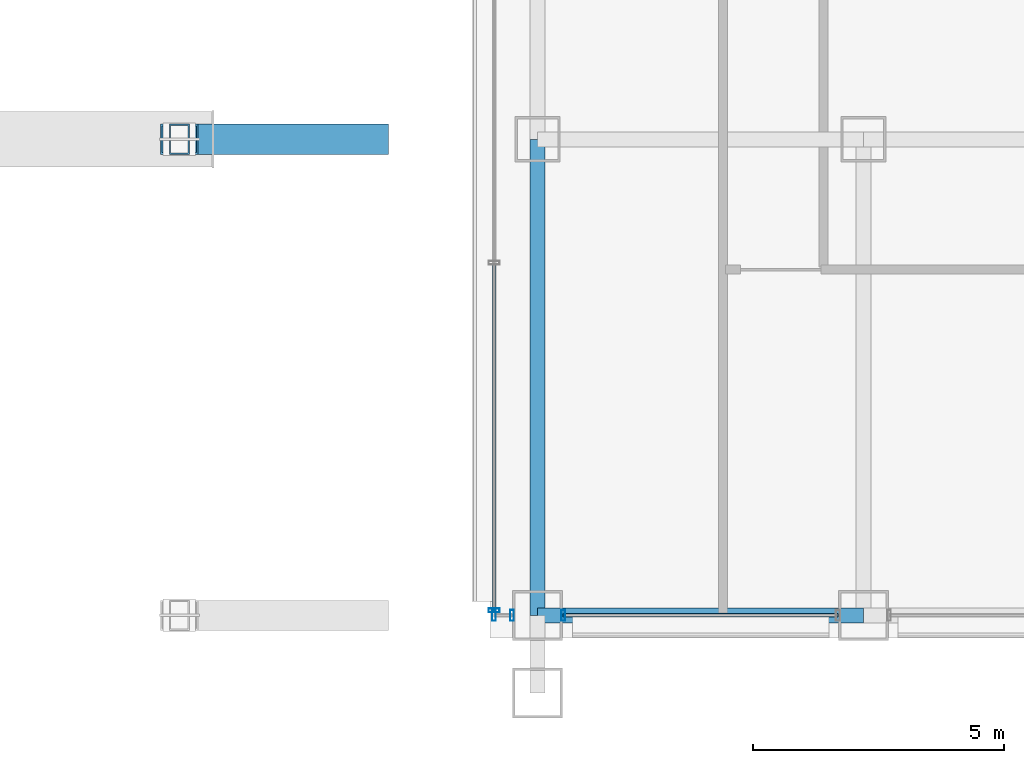
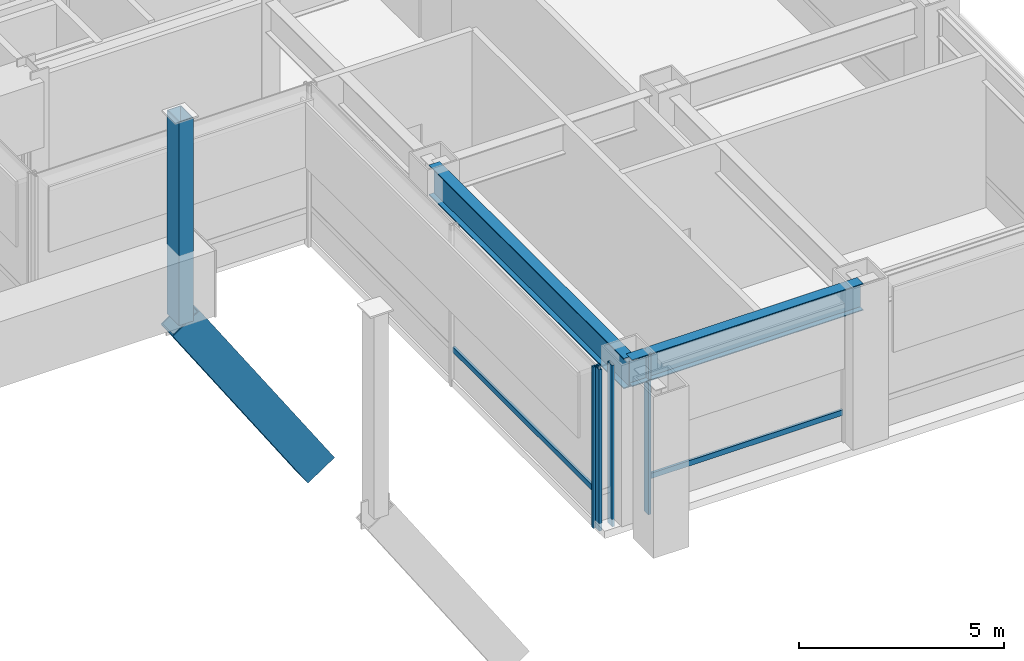
# One storey, part 10 of 42: 8 members, 2 beams, 3 elements without a shape of their own.
"""IFC4 building model written with IfcOpenShell, lengths in metres."""

from ifc_helpers import new_model, si_unit, direction, frame, origin, origin_2d, place, context, subcontext, project, spatial, hollow_rectangle, i_section, extrude, material, layer, layer_set, material_profile, profile_set, type_object, element, aggregate, save


model = new_model("IFC4")

# Units and contexts
model_context = context("Model", 3, precision=1e-05, world=origin(), true_north=direction((0.0, 1.0)))
body_context = subcontext(model_context, "Body", "Model", "MODEL_VIEW")
ifc_project = project(units=[si_unit("LENGTHUNIT", "METRE"), si_unit("AREAUNIT", "SQUARE_METRE"), si_unit("VOLUMEUNIT", "CUBIC_METRE"), si_unit("PLANEANGLEUNIT", "RADIAN"), si_unit("MASSUNIT", "GRAM", prefix="KILO")], contexts=[model_context])

# Site, building, storey
site_placement = place(None, origin())
site = spatial("IfcSite", under=ifc_project, at=site_placement, CompositionType="ELEMENT")
building_placement = place(site_placement, origin())
building = spatial("IfcBuilding", under=site, at=building_placement, Name="Brelmoor Portico Tower", CompositionType="ELEMENT")
storey_placement = place(building_placement, frame((0.0, 0.0, 9.60009765625)))
storey = spatial("IfcBuildingStorey", under=building, at=storey_placement, Name="L02", CompositionType="ELEMENT", Elevation=9.60009765625)

# Beams
ifc_material_1 = material(Name="Steel Q355B", Category="steel")
ifc_material_profile_1 = material_profile(ifc_material_1, i_section(OverallWidth=0.300048828125, OverallDepth=0.89990234375, WebThickness=0.01611328125, FlangeThickness=0.028076171875, at=origin_2d()), Name="HN 900x300x16x28")
ifc_profile_set_1 = profile_set([ifc_material_profile_1], Name="Steel Q355B")
beam_type_1 = type_object("IfcBeamType", Name="BM-PG-900", PredefinedType="BEAM", material=ifc_profile_set_1)
beam_1_placement = place(storey_placement, frame((14.550048828125, -27.550048828125, 4.1298828125), z_axis=(0.0, 1.0, 0.0), x_axis=(-1.0, 0.0, 0.0)))
element("IfcBeam", 1, at=beam_1_placement, inside=storey, type_object=beam_type_1, Name="L02 Primary Floor Girder PG-12", PredefinedType="BEAM", context=body_context, shape_type="SweptSolid", body=[
    extrude(i_section(OverallWidth=0.300048828125, OverallDepth=0.89990234375, WebThickness=0.01611328125, FlangeThickness=0.028076171875, at=origin_2d()), origin(), (0.0, 0.0, 1.0), 9.5),
])
ifc_material_profile_2 = material_profile(ifc_material_1, i_section(OverallWidth=0.300048828125, OverallDepth=0.800048828125, WebThickness=0.013916015625, FlangeThickness=0.02587890625, at=origin_2d()), Name="HN 800x300x14x26")
ifc_profile_set_2 = profile_set([ifc_material_profile_2], Name="Steel Q355B")
beam_type_2 = type_object("IfcBeamType", Name="BM-SP-800", PredefinedType="SPANDREL", material=ifc_profile_set_2)
beam_2_placement = place(storey_placement, frame((14.550048828125, -27.550048828125, 4.179931640625), z_axis=(1.0, 0.0, 0.0), x_axis=(0.0, 1.0, 0.0)))
element("IfcBeam", 2, at=beam_2_placement, inside=storey, type_object=beam_type_2, Name="L02 Perimeter Spandrel Beam SP-03", PredefinedType="SPANDREL", context=body_context, shape_type="SweptSolid", body=[
    extrude(i_section(OverallWidth=0.300048828125, OverallDepth=0.800048828125, WebThickness=0.013916015625, FlangeThickness=0.02587890625, at=origin_2d()), origin(), (0.0, 0.0, 1.0), 6.5),
])

# Members
ifc_material_2 = material(Name="Steel Q420B", Category="steel")
ifc_material_profile_3 = material_profile(ifc_material_2, hollow_rectangle(XDim=0.60009765625, YDim=0.89990234375, WallThickness=0.035888671875, at=origin_2d()), Name="RHS 600x900x36")
ifc_profile_set_3 = profile_set([ifc_material_profile_3], Name="Steel Q420B")
member_type_1 = type_object("IfcMemberType", Name="MB-ARCH-RIB", PredefinedType="CHORD", material=ifc_profile_set_3)
member_1_placement = place(storey_placement, frame((7.39990234375, -18.050048828125, 2.5), z_axis=(0.554691972244, 0.0, -0.832055776933), x_axis=(0.0, 1.0, 0.0)))
element("IfcMember", 3, at=member_1_placement, inside=storey, type_object=member_type_1, Name="Giant Portico Arch Rib S2-7", PredefinedType="CHORD", context=body_context, shape_type="SweptSolid", body=[
    extrude(hollow_rectangle(XDim=0.60009765625, YDim=0.89990234375, WallThickness=0.035888671875, at=origin_2d()), origin(), (0.0, 0.0, 1.0), 6.850830078125),
])
ifc_material_profile_4 = material_profile(ifc_material_1, hollow_rectangle(XDim=0.39990234375, YDim=0.60009765625, WallThickness=0.02392578125, at=origin_2d()), Name="RHS 400x600x24")
ifc_profile_set_4 = profile_set([ifc_material_profile_4], Name="Steel Q355B")
member_type_2 = type_object("IfcMemberType", Name="MB-ARCH-STRUT", PredefinedType="BRACE", material=ifc_profile_set_4)
member_2_placement = place(storey_placement, frame((7.39990234375, -18.050048828125, 2.5), z_axis=(0.0, 0.0, 1.0), x_axis=(1.0, 0.0, 0.0)))
element("IfcMember", 4, at=member_2_placement, inside=storey, type_object=member_type_2, Name="Portico Arch Spandrel Strut S2-5", PredefinedType="BRACE", context=body_context, shape_type="SweptSolid", body=[
    extrude(hollow_rectangle(XDim=0.39990234375, YDim=0.60009765625, WallThickness=0.02392578125, at=origin_2d()), origin(), (0.0, 0.0, 1.0), 6.054931640625),
])

# Curtain wall, members
ifc_material_3 = material(Name="Anodised Aluminium Alloy 6063-T6", Category="aluminium")
ifc_layer = layer(ifc_material_3, 0.179931640625)
ifc_layer_set = layer_set([ifc_layer], Name="Anodised Aluminium Alloy 6063-T6")
curtain_wall_type = type_object("IfcCurtainWallType", Name="CW-PODIUM-ARCH", PredefinedType="NOTDEFINED", material=ifc_layer_set)
curtain_wall_1_placement = place(storey_placement, origin())
curtain_wall_1 = element("IfcCurtainWall", 5, at=curtain_wall_1_placement, inside=storey, type_object=curtain_wall_type, Name="L02 Curtain Wall CW-L02-02-1", PredefinedType="NOTDEFINED")
ifc_material_profile_5 = material_profile(ifc_material_3, hollow_rectangle(XDim=0.074951171875, YDim=0.219970703125, WallThickness=0.0048828125, at=origin_2d()), Name="ALU MULLION 75x220")
ifc_profile_set_5 = profile_set([ifc_material_profile_5], Name="Anodised Aluminium Alloy 6063-T6")
member_type_3 = type_object("IfcMemberType", Name="MB-CW-MULL-220", PredefinedType="MULLION", material=ifc_profile_set_5)
member_3_placement = place(storey_placement, frame((13.679931640625, -27.550048828125, -0.22021484375), z_axis=(0.0, 0.0, 1.0), x_axis=(1.0, 0.0, 0.0)))
member_3 = element("IfcMember", 6, at=member_3_placement, type_object=member_type_3, Name="CW-L02-02-1 Mullion 00", PredefinedType="MULLION", context=body_context, shape_type="SweptSolid", body=[
    extrude(hollow_rectangle(XDim=0.074951171875, YDim=0.219970703125, WallThickness=0.0048828125, at=origin_2d()), origin(), (0.0, 0.0, 1.0), 4.800048828125),
])
member_4_placement = place(storey_placement, frame((14.0400390625, -27.550048828125, -0.22021484375), z_axis=(0.0, 0.0, 1.0), x_axis=(1.0, 0.0, 0.0)))
member_4 = element("IfcMember", 7, at=member_4_placement, type_object=member_type_3, Name="CW-L02-02-1 Mullion 01", PredefinedType="MULLION", context=body_context, shape_type="SweptSolid", body=[
    extrude(hollow_rectangle(XDim=0.074951171875, YDim=0.219970703125, WallThickness=0.0048828125, at=origin_2d()), origin(), (0.0, 0.0, 1.0), 4.800048828125),
])
aggregate(curtain_wall_1, [member_3, member_4])

# Curtain wall, member
curtain_wall_2_placement = place(storey_placement, origin())
curtain_wall_2 = element("IfcCurtainWall", 8, at=curtain_wall_2_placement, inside=storey, type_object=curtain_wall_type, Name="L02 Curtain Wall CW-L02-02-2", PredefinedType="NOTDEFINED")
member_5_placement = place(storey_placement, frame((15.06005859375, -27.550048828125, -0.22021484375), z_axis=(0.0, 0.0, 1.0), x_axis=(1.0, 0.0, 0.0)))
member_5 = element("IfcMember", 9, at=member_5_placement, type_object=member_type_3, Name="CW-L02-02-2 Mullion 00", PredefinedType="MULLION", context=body_context, shape_type="SweptSolid", body=[
    extrude(hollow_rectangle(XDim=0.074951171875, YDim=0.219970703125, WallThickness=0.0048828125, at=origin_2d()), origin(), (0.0, 0.0, 1.0), 4.800048828125),
])

curtain_wall_3_placement = place(storey_placement, origin())
curtain_wall_3 = element("IfcCurtainWall", 10, at=curtain_wall_3_placement, inside=storey, type_object=curtain_wall_type, Name="L02 Curtain Wall CW-L02-08", PredefinedType="NOTDEFINED")
member_6_placement = place(storey_placement, frame((13.679931640625, -27.449951171875, -0.22021484375), z_axis=(0.0, 0.0, 1.0), x_axis=(0.0, 1.0, 0.0)))
member_6 = element("IfcMember", 11, at=member_6_placement, type_object=member_type_3, Name="CW-L02-08 Mullion 00", PredefinedType="MULLION", context=body_context, shape_type="SweptSolid", body=[
    extrude(hollow_rectangle(XDim=0.074951171875, YDim=0.219970703125, WallThickness=0.0048828125, at=origin_2d()), origin(), (0.0, 0.0, 1.0), 4.800048828125),
])

# Member
ifc_material_profile_6 = material_profile(ifc_material_3, hollow_rectangle(XDim=0.070068359375, YDim=0.159912109375, WallThickness=0.00390625, at=origin_2d()), Name="ALU TRANSOM 70x160")
ifc_profile_set_6 = profile_set([ifc_material_profile_6], Name="Anodised Aluminium Alloy 6063-T6")
member_type_4 = type_object("IfcMemberType", Name="MB-CW-TRAN-160", PredefinedType="USERDEFINED", material=ifc_profile_set_6)
member_7_placement = place(storey_placement, frame((15.06005859375, -27.550048828125, 0.849853515625), z_axis=(1.0, 0.0, 0.0), x_axis=(0.0, 1.0, 0.0)))
member_7 = element("IfcMember", 12, at=member_7_placement, type_object=member_type_4, Name="CW-L02-02-2 Transom 1-00", ObjectType="TRANSOM", PredefinedType="USERDEFINED", context=body_context, shape_type="SweptSolid", body=[
    extrude(hollow_rectangle(XDim=0.070068359375, YDim=0.159912109375, WallThickness=0.00390625, at=origin_2d()), origin(), (0.0, 0.0, 1.0), 5.47998046875),
])

aggregate(curtain_wall_2, [member_5, member_7])

member_8_placement = place(storey_placement, frame((13.679931640625, -27.449951171875, 0.849853515625), z_axis=(0.0, 1.0, 0.0), x_axis=(-1.0, 0.0, 0.0)))
member_8 = element("IfcMember", 13, at=member_8_placement, type_object=member_type_4, Name="CW-L02-08 Transom 1-00", ObjectType="TRANSOM", PredefinedType="USERDEFINED", context=body_context, shape_type="SweptSolid", body=[
    extrude(hollow_rectangle(XDim=0.070068359375, YDim=0.159912109375, WallThickness=0.00390625, at=origin_2d()), origin(), (0.0, 0.0, 1.0), 6.93505859375),
])

aggregate(curtain_wall_3, [member_6, member_8])

save(model, "model.ifc")
